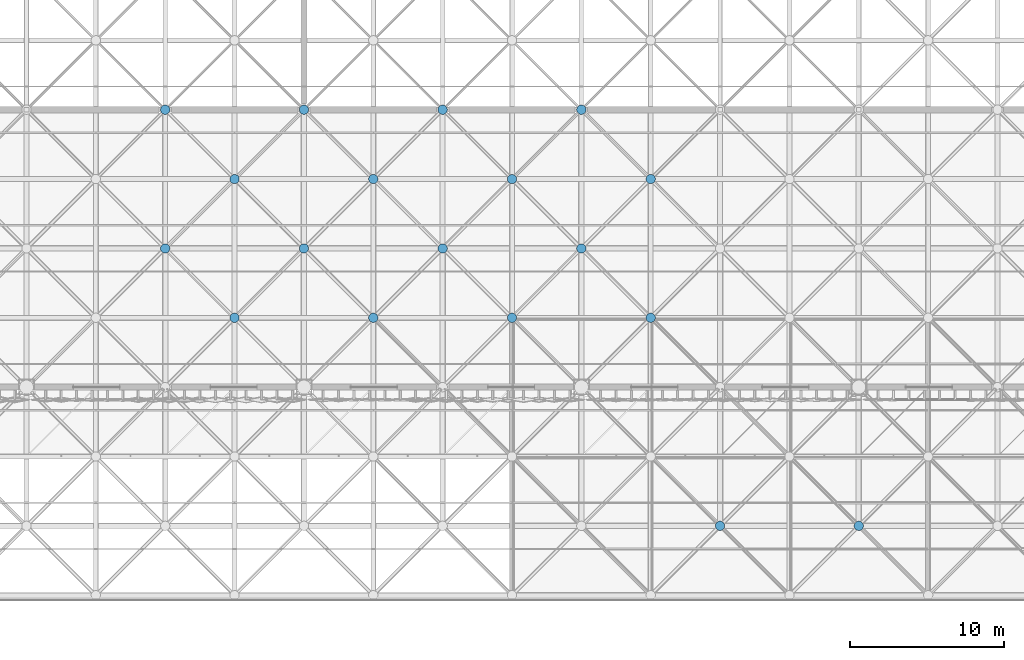
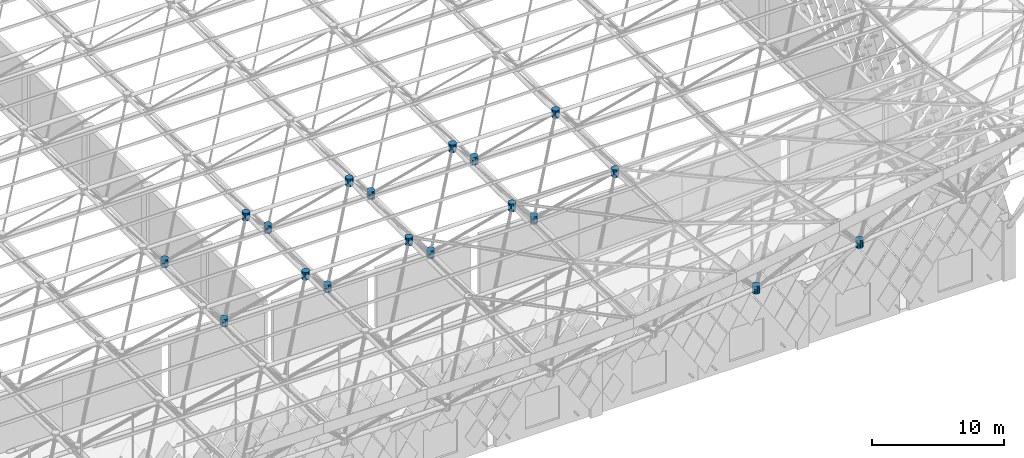
# One storey, part 305 of 437: 18 discrete accessories.
"""IFC4 building model written with IfcOpenShell, lengths in metres."""

from ifc_helpers import new_model, si_unit, direction, frame, origin, place, context, subcontext, project, spatial, polyline, outline, extrude, material, type_object, element, save


model = new_model("IFC4")

# Units and contexts
model_context = context("Model", 3, precision=1e-05, world=origin(), true_north=direction((0.0, 1.0)))
body_context = subcontext(model_context, "Body", "Model", "MODEL_VIEW")
ifc_project = project(units=[si_unit("LENGTHUNIT", "METRE"), si_unit("AREAUNIT", "SQUARE_METRE"), si_unit("VOLUMEUNIT", "CUBIC_METRE"), si_unit("PLANEANGLEUNIT", "RADIAN"), si_unit("MASSUNIT", "GRAM", prefix="KILO")], contexts=[model_context])

# Site, building, storey
site_placement = place(None, origin())
site = spatial("IfcSite", under=ifc_project, at=site_placement, CompositionType="ELEMENT")
building_placement = place(site_placement, origin())
building = spatial("IfcBuilding", under=site, at=building_placement, Name="Opaline Strait Convention Centre", CompositionType="ELEMENT")
storey_placement = place(building_placement, frame((0.0, 0.0, 11.5)))
storey = spatial("IfcBuildingStorey", under=building, at=storey_placement, Name="L02", CompositionType="ELEMENT", Elevation=11.5)

# Discrete accessories
ifc_material = material(Name="Cast steel ZG300-500H (300 MPa)", Category="steel")
discrete_accessory_type = type_object("IfcDiscreteAccessoryType", Name="Space frame node hub D600", PredefinedType="USERDEFINED", material=ifc_material)
discrete_accessory_1_placement = place(storey_placement, frame((0.0, 0.0, 17.611572265625)))
element("IfcDiscreteAccessory", 1, at=discrete_accessory_1_placement, inside=storey, type_object=discrete_accessory_type, Name="Top node 14/3", ObjectType="NODE HUB", PredefinedType="USERDEFINED", context=body_context, shape_type="SweptSolid", body=[
    extrude(outline(polyline([(202.800048828125, 58.559814453125), (202.75439453125, 58.669921875), (202.669921875, 58.75439453125), (202.559814453125, 58.800048828125), (202.440185546875, 58.800048828125), (202.330078125, 58.75439453125), (202.24560546875, 58.669921875), (202.199951171875, 58.559814453125), (202.199951171875, 58.440185546875), (202.24560546875, 58.330078125), (202.330078125, 58.24560546875), (202.440185546875, 58.199951171875), (202.559814453125, 58.199951171875), (202.669921875, 58.24560546875), (202.75439453125, 58.330078125), (202.800048828125, 58.440185546875), (202.800048828125, 58.559814453125)])), origin(), (0.0, 0.0, 1.0), 0.719970703125),
])
discrete_accessory_2_placement = place(storey_placement, frame((0.0, 0.0, 17.611572265625)))
element("IfcDiscreteAccessory", 2, at=discrete_accessory_2_placement, inside=storey, type_object=discrete_accessory_type, Name="Top node 14/4", ObjectType="NODE HUB", PredefinedType="USERDEFINED", context=body_context, shape_type="SweptSolid", body=[
    extrude(outline(polyline([(202.800048828125, 67.559814453125), (202.75439453125, 67.669921875), (202.669921875, 67.75439453125), (202.559814453125, 67.800048828125), (202.440185546875, 67.800048828125), (202.330078125, 67.75439453125), (202.24560546875, 67.669921875), (202.199951171875, 67.559814453125), (202.199951171875, 67.440185546875), (202.24560546875, 67.330078125), (202.330078125, 67.24560546875), (202.440185546875, 67.199951171875), (202.559814453125, 67.199951171875), (202.669921875, 67.24560546875), (202.75439453125, 67.330078125), (202.800048828125, 67.440185546875), (202.800048828125, 67.559814453125)])), origin(), (0.0, 0.0, 1.0), 0.719970703125),
])
discrete_accessory_3_placement = place(storey_placement, frame((0.0, 0.0, 17.611572265625)))
element("IfcDiscreteAccessory", 3, at=discrete_accessory_3_placement, inside=storey, type_object=discrete_accessory_type, Name="Top node 15/3", ObjectType="NODE HUB", PredefinedType="USERDEFINED", context=body_context, shape_type="SweptSolid", body=[
    extrude(outline(polyline([(211.800048828125, 58.559814453125), (211.75439453125, 58.669921875), (211.669921875, 58.75439453125), (211.559814453125, 58.800048828125), (211.440185546875, 58.800048828125), (211.330078125, 58.75439453125), (211.24560546875, 58.669921875), (211.199951171875, 58.559814453125), (211.199951171875, 58.440185546875), (211.24560546875, 58.330078125), (211.330078125, 58.24560546875), (211.440185546875, 58.199951171875), (211.559814453125, 58.199951171875), (211.669921875, 58.24560546875), (211.75439453125, 58.330078125), (211.800048828125, 58.440185546875), (211.800048828125, 58.559814453125)])), origin(), (0.0, 0.0, 1.0), 0.719970703125),
])
discrete_accessory_4_placement = place(storey_placement, frame((0.0, 0.0, 17.611572265625)))
element("IfcDiscreteAccessory", 4, at=discrete_accessory_4_placement, inside=storey, type_object=discrete_accessory_type, Name="Top node 15/4", ObjectType="NODE HUB", PredefinedType="USERDEFINED", context=body_context, shape_type="SweptSolid", body=[
    extrude(outline(polyline([(211.800048828125, 67.559814453125), (211.75439453125, 67.669921875), (211.669921875, 67.75439453125), (211.559814453125, 67.800048828125), (211.440185546875, 67.800048828125), (211.330078125, 67.75439453125), (211.24560546875, 67.669921875), (211.199951171875, 67.559814453125), (211.199951171875, 67.440185546875), (211.24560546875, 67.330078125), (211.330078125, 67.24560546875), (211.440185546875, 67.199951171875), (211.559814453125, 67.199951171875), (211.669921875, 67.24560546875), (211.75439453125, 67.330078125), (211.800048828125, 67.440185546875), (211.800048828125, 67.559814453125)])), origin(), (0.0, 0.0, 1.0), 0.719970703125),
])
discrete_accessory_5_placement = place(storey_placement, frame((0.0, 0.0, 17.611572265625)))
element("IfcDiscreteAccessory", 5, at=discrete_accessory_5_placement, inside=storey, type_object=discrete_accessory_type, Name="Top node 16/3", ObjectType="NODE HUB", PredefinedType="USERDEFINED", context=body_context, shape_type="SweptSolid", body=[
    extrude(outline(polyline([(220.800048828125, 58.559814453125), (220.75439453125, 58.669921875), (220.669921875, 58.75439453125), (220.559814453125, 58.800048828125), (220.440185546875, 58.800048828125), (220.330078125, 58.75439453125), (220.24560546875, 58.669921875), (220.199951171875, 58.559814453125), (220.199951171875, 58.440185546875), (220.24560546875, 58.330078125), (220.330078125, 58.24560546875), (220.440185546875, 58.199951171875), (220.559814453125, 58.199951171875), (220.669921875, 58.24560546875), (220.75439453125, 58.330078125), (220.800048828125, 58.440185546875), (220.800048828125, 58.559814453125)])), origin(), (0.0, 0.0, 1.0), 0.719970703125),
])
discrete_accessory_6_placement = place(storey_placement, frame((0.0, 0.0, 17.611572265625)))
element("IfcDiscreteAccessory", 6, at=discrete_accessory_6_placement, inside=storey, type_object=discrete_accessory_type, Name="Top node 16/4", ObjectType="NODE HUB", PredefinedType="USERDEFINED", context=body_context, shape_type="SweptSolid", body=[
    extrude(outline(polyline([(220.800048828125, 67.559814453125), (220.75439453125, 67.669921875), (220.669921875, 67.75439453125), (220.559814453125, 67.800048828125), (220.440185546875, 67.800048828125), (220.330078125, 67.75439453125), (220.24560546875, 67.669921875), (220.199951171875, 67.559814453125), (220.199951171875, 67.440185546875), (220.24560546875, 67.330078125), (220.330078125, 67.24560546875), (220.440185546875, 67.199951171875), (220.559814453125, 67.199951171875), (220.669921875, 67.24560546875), (220.75439453125, 67.330078125), (220.800048828125, 67.440185546875), (220.800048828125, 67.559814453125)])), origin(), (0.0, 0.0, 1.0), 0.719970703125),
])
discrete_accessory_7_placement = place(storey_placement, frame((0.0, 0.0, 17.611572265625)))
element("IfcDiscreteAccessory", 7, at=discrete_accessory_7_placement, inside=storey, type_object=discrete_accessory_type, Name="Top node 17/3", ObjectType="NODE HUB", PredefinedType="USERDEFINED", context=body_context, shape_type="SweptSolid", body=[
    extrude(outline(polyline([(229.800048828125, 58.559814453125), (229.75439453125, 58.669921875), (229.669921875, 58.75439453125), (229.559814453125, 58.800048828125), (229.440185546875, 58.800048828125), (229.330078125, 58.75439453125), (229.24560546875, 58.669921875), (229.199951171875, 58.559814453125), (229.199951171875, 58.440185546875), (229.24560546875, 58.330078125), (229.330078125, 58.24560546875), (229.440185546875, 58.199951171875), (229.559814453125, 58.199951171875), (229.669921875, 58.24560546875), (229.75439453125, 58.330078125), (229.800048828125, 58.440185546875), (229.800048828125, 58.559814453125)])), origin(), (0.0, 0.0, 1.0), 0.719970703125),
])
discrete_accessory_8_placement = place(storey_placement, frame((0.0, 0.0, 17.611572265625)))
element("IfcDiscreteAccessory", 8, at=discrete_accessory_8_placement, inside=storey, type_object=discrete_accessory_type, Name="Top node 17/4", ObjectType="NODE HUB", PredefinedType="USERDEFINED", context=body_context, shape_type="SweptSolid", body=[
    extrude(outline(polyline([(229.800048828125, 67.559814453125), (229.75439453125, 67.669921875), (229.669921875, 67.75439453125), (229.559814453125, 67.800048828125), (229.440185546875, 67.800048828125), (229.330078125, 67.75439453125), (229.24560546875, 67.669921875), (229.199951171875, 67.559814453125), (229.199951171875, 67.440185546875), (229.24560546875, 67.330078125), (229.330078125, 67.24560546875), (229.440185546875, 67.199951171875), (229.559814453125, 67.199951171875), (229.669921875, 67.24560546875), (229.75439453125, 67.330078125), (229.800048828125, 67.440185546875), (229.800048828125, 67.559814453125)])), origin(), (0.0, 0.0, 1.0), 0.719970703125),
])
discrete_accessory_9_placement = place(storey_placement, frame((0.0, 0.0, 12.139892578125)))
element("IfcDiscreteAccessory", 9, at=discrete_accessory_9_placement, inside=storey, type_object=discrete_accessory_type, Name="Bottom node 13/3", ObjectType="NODE HUB", PredefinedType="USERDEFINED", context=body_context, shape_type="SweptSolid", body=[
    extrude(outline(polyline([(198.300048828125, 63.059814453125), (198.25439453125, 63.169921875), (198.169921875, 63.25439453125), (198.059814453125, 63.300048828125), (197.940185546875, 63.300048828125), (197.830078125, 63.25439453125), (197.74560546875, 63.169921875), (197.699951171875, 63.059814453125), (197.699951171875, 62.940185546875), (197.74560546875, 62.830078125), (197.830078125, 62.74560546875), (197.940185546875, 62.699951171875), (198.059814453125, 62.699951171875), (198.169921875, 62.74560546875), (198.25439453125, 62.830078125), (198.300048828125, 62.940185546875), (198.300048828125, 63.059814453125)])), origin(), (0.0, 0.0, 1.0), 0.72021484375),
])
discrete_accessory_10_placement = place(storey_placement, frame((0.0, 0.0, 12.139892578125)))
element("IfcDiscreteAccessory", 10, at=discrete_accessory_10_placement, inside=storey, type_object=discrete_accessory_type, Name="Bottom node 13/4", ObjectType="NODE HUB", PredefinedType="USERDEFINED", context=body_context, shape_type="SweptSolid", body=[
    extrude(outline(polyline([(198.300048828125, 72.059814453125), (198.25439453125, 72.169921875), (198.169921875, 72.25439453125), (198.059814453125, 72.300048828125), (197.940185546875, 72.300048828125), (197.830078125, 72.25439453125), (197.74560546875, 72.169921875), (197.699951171875, 72.059814453125), (197.699951171875, 71.940185546875), (197.74560546875, 71.830078125), (197.830078125, 71.74560546875), (197.940185546875, 71.699951171875), (198.059814453125, 71.699951171875), (198.169921875, 71.74560546875), (198.25439453125, 71.830078125), (198.300048828125, 71.940185546875), (198.300048828125, 72.059814453125)])), origin(), (0.0, 0.0, 1.0), 0.72021484375),
])
discrete_accessory_11_placement = place(storey_placement, frame((0.0, 0.0, 12.139892578125)))
element("IfcDiscreteAccessory", 11, at=discrete_accessory_11_placement, inside=storey, type_object=discrete_accessory_type, Name="Bottom node 14/3", ObjectType="NODE HUB", PredefinedType="USERDEFINED", context=body_context, shape_type="SweptSolid", body=[
    extrude(outline(polyline([(207.300048828125, 63.059814453125), (207.25439453125, 63.169921875), (207.169921875, 63.25439453125), (207.059814453125, 63.300048828125), (206.940185546875, 63.300048828125), (206.830078125, 63.25439453125), (206.74560546875, 63.169921875), (206.699951171875, 63.059814453125), (206.699951171875, 62.940185546875), (206.74560546875, 62.830078125), (206.830078125, 62.74560546875), (206.940185546875, 62.699951171875), (207.059814453125, 62.699951171875), (207.169921875, 62.74560546875), (207.25439453125, 62.830078125), (207.300048828125, 62.940185546875), (207.300048828125, 63.059814453125)])), origin(), (0.0, 0.0, 1.0), 0.72021484375),
])
discrete_accessory_12_placement = place(storey_placement, frame((0.0, 0.0, 12.139892578125)))
element("IfcDiscreteAccessory", 12, at=discrete_accessory_12_placement, inside=storey, type_object=discrete_accessory_type, Name="Bottom node 14/4", ObjectType="NODE HUB", PredefinedType="USERDEFINED", context=body_context, shape_type="SweptSolid", body=[
    extrude(outline(polyline([(207.300048828125, 72.059814453125), (207.25439453125, 72.169921875), (207.169921875, 72.25439453125), (207.059814453125, 72.300048828125), (206.940185546875, 72.300048828125), (206.830078125, 72.25439453125), (206.74560546875, 72.169921875), (206.699951171875, 72.059814453125), (206.699951171875, 71.940185546875), (206.74560546875, 71.830078125), (206.830078125, 71.74560546875), (206.940185546875, 71.699951171875), (207.059814453125, 71.699951171875), (207.169921875, 71.74560546875), (207.25439453125, 71.830078125), (207.300048828125, 71.940185546875), (207.300048828125, 72.059814453125)])), origin(), (0.0, 0.0, 1.0), 0.72021484375),
])
discrete_accessory_13_placement = place(storey_placement, frame((0.0, 0.0, 12.139892578125)))
element("IfcDiscreteAccessory", 13, at=discrete_accessory_13_placement, inside=storey, type_object=discrete_accessory_type, Name="Bottom node 15/3", ObjectType="NODE HUB", PredefinedType="USERDEFINED", context=body_context, shape_type="SweptSolid", body=[
    extrude(outline(polyline([(216.300048828125, 63.059814453125), (216.25439453125, 63.169921875), (216.169921875, 63.25439453125), (216.059814453125, 63.300048828125), (215.940185546875, 63.300048828125), (215.830078125, 63.25439453125), (215.74560546875, 63.169921875), (215.699951171875, 63.059814453125), (215.699951171875, 62.940185546875), (215.74560546875, 62.830078125), (215.830078125, 62.74560546875), (215.940185546875, 62.699951171875), (216.059814453125, 62.699951171875), (216.169921875, 62.74560546875), (216.25439453125, 62.830078125), (216.300048828125, 62.940185546875), (216.300048828125, 63.059814453125)])), origin(), (0.0, 0.0, 1.0), 0.72021484375),
])
discrete_accessory_14_placement = place(storey_placement, frame((0.0, 0.0, 12.139892578125)))
element("IfcDiscreteAccessory", 14, at=discrete_accessory_14_placement, inside=storey, type_object=discrete_accessory_type, Name="Bottom node 15/4", ObjectType="NODE HUB", PredefinedType="USERDEFINED", context=body_context, shape_type="SweptSolid", body=[
    extrude(outline(polyline([(216.300048828125, 72.059814453125), (216.25439453125, 72.169921875), (216.169921875, 72.25439453125), (216.059814453125, 72.300048828125), (215.940185546875, 72.300048828125), (215.830078125, 72.25439453125), (215.74560546875, 72.169921875), (215.699951171875, 72.059814453125), (215.699951171875, 71.940185546875), (215.74560546875, 71.830078125), (215.830078125, 71.74560546875), (215.940185546875, 71.699951171875), (216.059814453125, 71.699951171875), (216.169921875, 71.74560546875), (216.25439453125, 71.830078125), (216.300048828125, 71.940185546875), (216.300048828125, 72.059814453125)])), origin(), (0.0, 0.0, 1.0), 0.72021484375),
])
discrete_accessory_15_placement = place(storey_placement, frame((0.0, 0.0, 12.139892578125)))
element("IfcDiscreteAccessory", 15, at=discrete_accessory_15_placement, inside=storey, type_object=discrete_accessory_type, Name="Bottom node 16/3", ObjectType="NODE HUB", PredefinedType="USERDEFINED", context=body_context, shape_type="SweptSolid", body=[
    extrude(outline(polyline([(225.300048828125, 63.059814453125), (225.25439453125, 63.169921875), (225.169921875, 63.25439453125), (225.059814453125, 63.300048828125), (224.940185546875, 63.300048828125), (224.830078125, 63.25439453125), (224.74560546875, 63.169921875), (224.699951171875, 63.059814453125), (224.699951171875, 62.940185546875), (224.74560546875, 62.830078125), (224.830078125, 62.74560546875), (224.940185546875, 62.699951171875), (225.059814453125, 62.699951171875), (225.169921875, 62.74560546875), (225.25439453125, 62.830078125), (225.300048828125, 62.940185546875), (225.300048828125, 63.059814453125)])), origin(), (0.0, 0.0, 1.0), 0.72021484375),
])
discrete_accessory_16_placement = place(storey_placement, frame((0.0, 0.0, 12.139892578125)))
element("IfcDiscreteAccessory", 16, at=discrete_accessory_16_placement, inside=storey, type_object=discrete_accessory_type, Name="Bottom node 16/4", ObjectType="NODE HUB", PredefinedType="USERDEFINED", context=body_context, shape_type="SweptSolid", body=[
    extrude(outline(polyline([(225.300048828125, 72.059814453125), (225.25439453125, 72.169921875), (225.169921875, 72.25439453125), (225.059814453125, 72.300048828125), (224.940185546875, 72.300048828125), (224.830078125, 72.25439453125), (224.74560546875, 72.169921875), (224.699951171875, 72.059814453125), (224.699951171875, 71.940185546875), (224.74560546875, 71.830078125), (224.830078125, 71.74560546875), (224.940185546875, 71.699951171875), (225.059814453125, 71.699951171875), (225.169921875, 71.74560546875), (225.25439453125, 71.830078125), (225.300048828125, 71.940185546875), (225.300048828125, 72.059814453125)])), origin(), (0.0, 0.0, 1.0), 0.72021484375),
])
discrete_accessory_17_placement = place(storey_placement, frame((0.0, 0.0, 13.49462890625)))
element("IfcDiscreteAccessory", 17, at=discrete_accessory_17_placement, inside=storey, type_object=discrete_accessory_type, Name="Bottom node 17/1", ObjectType="NODE HUB", PredefinedType="USERDEFINED", context=body_context, shape_type="SweptSolid", body=[
    extrude(outline(polyline([(234.300048828125, 45.059814453125), (234.25439453125, 45.169921875), (234.169921875, 45.25439453125), (234.059814453125, 45.300048828125), (233.940185546875, 45.300048828125), (233.830078125, 45.25439453125), (233.74560546875, 45.169921875), (233.699951171875, 45.059814453125), (233.699951171875, 44.940185546875), (233.74560546875, 44.830078125), (233.830078125, 44.74560546875), (233.940185546875, 44.699951171875), (234.059814453125, 44.699951171875), (234.169921875, 44.74560546875), (234.25439453125, 44.830078125), (234.300048828125, 44.940185546875), (234.300048828125, 45.059814453125)])), origin(), (0.0, 0.0, 1.0), 0.719970703125),
])
discrete_accessory_18_placement = place(storey_placement, frame((0.0, 0.0, 14.55078125)))
element("IfcDiscreteAccessory", 18, at=discrete_accessory_18_placement, inside=storey, type_object=discrete_accessory_type, Name="Bottom node 18/1", ObjectType="NODE HUB", PredefinedType="USERDEFINED", context=body_context, shape_type="SweptSolid", body=[
    extrude(outline(polyline([(243.300048828125, 45.059814453125), (243.25439453125, 45.169921875), (243.169921875, 45.25439453125), (243.059814453125, 45.300048828125), (242.940185546875, 45.300048828125), (242.830078125, 45.25439453125), (242.74560546875, 45.169921875), (242.699951171875, 45.059814453125), (242.699951171875, 44.940185546875), (242.74560546875, 44.830078125), (242.830078125, 44.74560546875), (242.940185546875, 44.699951171875), (243.059814453125, 44.699951171875), (243.169921875, 44.74560546875), (243.25439453125, 44.830078125), (243.300048828125, 44.940185546875), (243.300048828125, 45.059814453125)])), origin(), (0.0, 0.0, 1.0), 0.719970703125),
])

save(model, "model.ifc")
